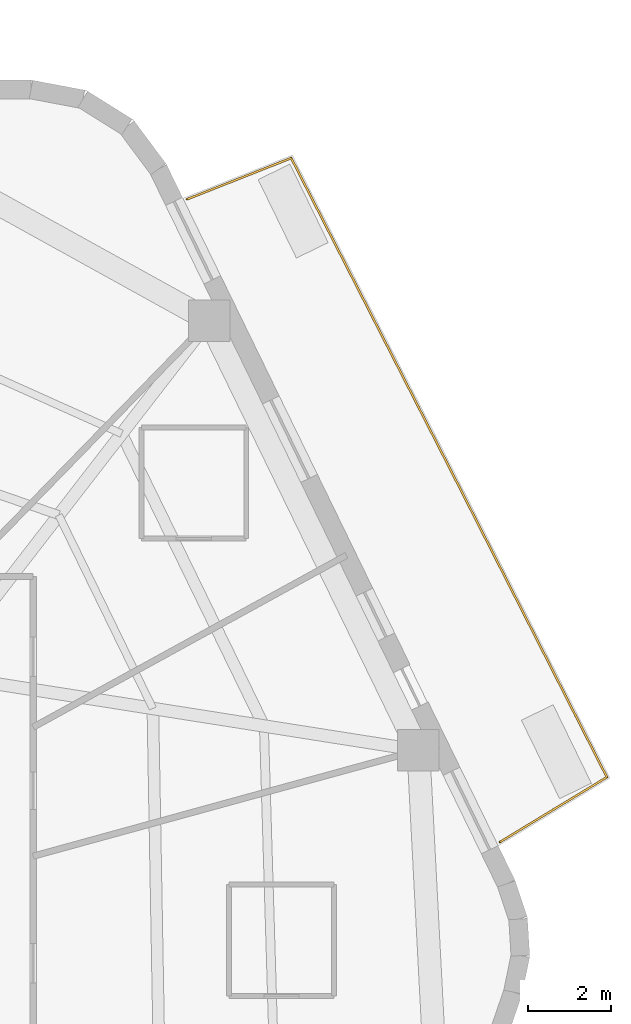
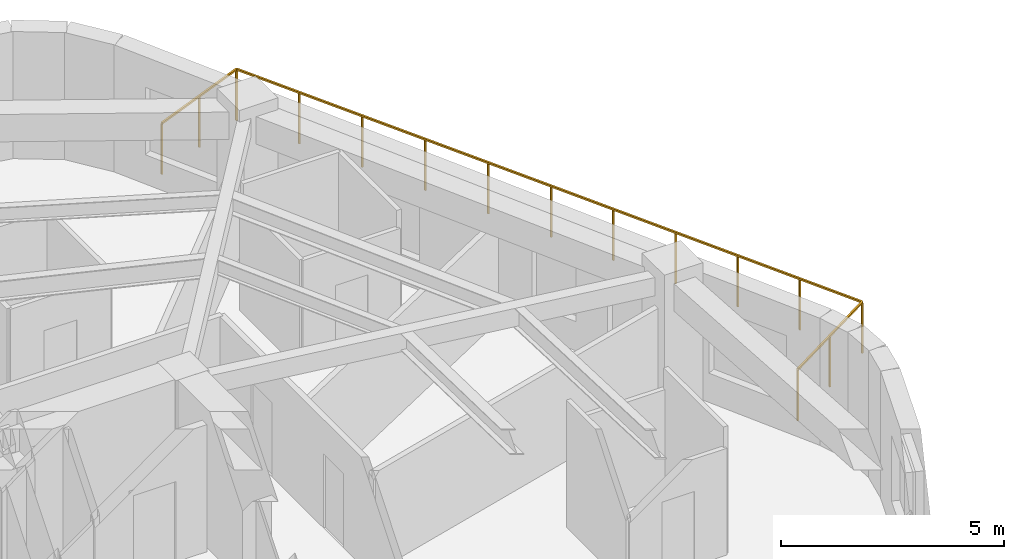
# One storey, part 10 of 10: 1 railing.
"""IFC4 building model written with IfcOpenShell, lengths in metres."""

from ifc_helpers import new_model, si_unit, direction, frame, origin, origin_2d, place, context, subcontext, project, spatial, rectangle, extrude, material, layer, layer_set, type_object, element, save


model = new_model("IFC4")

# Units and contexts
model_context = context("Model", 3, precision=1e-05, world=origin(), true_north=direction((0.0, 1.0)))
body_context = subcontext(model_context, "Body", "Model", "MODEL_VIEW")
ifc_project = project(units=[si_unit("LENGTHUNIT", "METRE"), si_unit("AREAUNIT", "SQUARE_METRE"), si_unit("VOLUMEUNIT", "CUBIC_METRE"), si_unit("PLANEANGLEUNIT", "RADIAN"), si_unit("MASSUNIT", "GRAM", prefix="KILO")], contexts=[model_context])

# Site, building, storey
site_placement = place(None, origin())
site = spatial("IfcSite", under=ifc_project, at=site_placement, CompositionType="ELEMENT")
building_placement = place(site_placement, origin())
building = spatial("IfcBuilding", under=site, at=building_placement, Name="Kilnhurst Terrace Hotel", CompositionType="ELEMENT")
storey_placement = place(building_placement, frame((0.0, 0.0, 252.10009765625)))
storey = spatial("IfcBuildingStorey", under=building, at=storey_placement, Name="L63", CompositionType="ELEMENT", Elevation=252.10009765625)

# Railing
ifc_material = material(Name="Laminated SentryGlas and Stainless Steel AISI 316L Balustrade", Category="steel")
ifc_layer = layer(ifc_material, 0.070068359375, Name="Laminated SentryGlas and Stainless Steel AISI 316L Balustrade")
ifc_layer_set = layer_set([ifc_layer], Name="Laminated SentryGlas and Stainless Steel AISI 316L Balustrade")
railing_type = type_object("IfcRailingType", Name="RLG-BAL-1420", PredefinedType="BALUSTRADE", material=ifc_layer_set)
railing_placement = place(storey_placement, frame((15.0546875, 18.933349609375, 0.0)))
element("IfcRailing", 1, at=railing_placement, inside=storey, type_object=railing_type, Name="L63 Exterior Terrace Guardrail BAL-L1A.1", PredefinedType="BALUSTRADE", context=body_context, shape_type="SweptSolid", body=[
    extrude(rectangle(XDim=0.048095703125, YDim=0.048095703125, at=origin_2d()), frame((0.0, 0.0, 1.39599609375), z_axis=(0.929913162101, 0.367779160574, 0.0), x_axis=(-0.367779160574, 0.929913162101, 0.0)), (0.0, 0.0, 1.0), 2.694580078125),
    extrude(rectangle(XDim=0.048095703125, YDim=0.048095703125, at=origin_2d()), frame((2.505615234375, 0.990966796875, 1.39599609375), z_axis=(0.455129479154, -0.890425267614, 0.0), x_axis=(0.890425267614, 0.455129479154, 0.0)), (0.0, 0.0, 1.0), 8.4072265625),
    extrude(rectangle(XDim=0.048095703125, YDim=0.048095703125, at=origin_2d()), frame((6.33203125, -6.4951171875, 1.39599609375), z_axis=(0.45338853952, -0.891312982196, 0.0), x_axis=(0.891312982196, 0.45338853952, 0.0)), (0.0, 0.0, 1.0), 8.320068359375),
    extrude(rectangle(XDim=0.048095703125, YDim=0.048095703125, at=origin_2d()), frame((10.104248046875, -13.910888671875, 1.39599609375), z_axis=(-0.854990626614, -0.518643450168, 0.0), x_axis=(0.518643450168, -0.854990626614, 0.0)), (0.0, 0.0, 1.0), 3.008056640625),
    extrude(rectangle(XDim=0.0419921875, YDim=0.0419921875, at=origin_2d()), origin(), (0.0, 0.0, 1.0), 1.371826171875),
    extrude(rectangle(XDim=0.0419921875, YDim=0.0419921875, at=origin_2d()), frame((1.2529296875, 0.49560546875, 0.0)), (0.0, 0.0, 1.0), 1.371826171875),
    extrude(rectangle(XDim=0.0419921875, YDim=0.0419921875, at=origin_2d()), frame((2.505615234375, 0.990966796875, 0.0)), (0.0, 0.0, 1.0), 1.371826171875),
    extrude(rectangle(XDim=0.0419921875, YDim=0.0419921875, at=origin_2d()), frame((3.27099609375, -0.50634765625, 0.0)), (0.0, 0.0, 1.0), 1.371826171875),
    extrude(rectangle(XDim=0.0419921875, YDim=0.0419921875, at=origin_2d()), frame((4.0361328125, -2.00341796875, 0.0)), (0.0, 0.0, 1.0), 1.371826171875),
    extrude(rectangle(XDim=0.0419921875, YDim=0.0419921875, at=origin_2d()), frame((4.801513671875, -3.500732421875, 0.0)), (0.0, 0.0, 1.0), 1.371826171875),
    extrude(rectangle(XDim=0.0419921875, YDim=0.0419921875, at=origin_2d()), frame((5.566650390625, -4.997802734375, 0.0)), (0.0, 0.0, 1.0), 1.371826171875),
    extrude(rectangle(XDim=0.0419921875, YDim=0.0419921875, at=origin_2d()), frame((6.33203125, -6.4951171875, 0.0)), (0.0, 0.0, 1.0), 1.371826171875),
    extrude(rectangle(XDim=0.0419921875, YDim=0.0419921875, at=origin_2d()), frame((7.08642578125, -7.978271484375, 0.0)), (0.0, 0.0, 1.0), 1.371826171875),
    extrude(rectangle(XDim=0.0419921875, YDim=0.0419921875, at=origin_2d()), frame((7.8408203125, -9.46142578125, 0.0)), (0.0, 0.0, 1.0), 1.371826171875),
    extrude(rectangle(XDim=0.0419921875, YDim=0.0419921875, at=origin_2d()), frame((8.595458984375, -10.944580078125, 0.0)), (0.0, 0.0, 1.0), 1.371826171875),
    extrude(rectangle(XDim=0.0419921875, YDim=0.0419921875, at=origin_2d()), frame((9.349853515625, -12.427734375, 0.0)), (0.0, 0.0, 1.0), 1.371826171875),
    extrude(rectangle(XDim=0.0419921875, YDim=0.0419921875, at=origin_2d()), frame((10.104248046875, -13.910888671875, 0.0)), (0.0, 0.0, 1.0), 1.371826171875),
    extrude(rectangle(XDim=0.0419921875, YDim=0.0419921875, at=origin_2d()), frame((8.818359375, -14.69091796875, 0.0)), (0.0, 0.0, 1.0), 1.371826171875),
    extrude(rectangle(XDim=0.0419921875, YDim=0.0419921875, at=origin_2d()), frame((7.532470703125, -15.470947265625, 0.0)), (0.0, 0.0, 1.0), 1.371826171875),
])

save(model, "model.ifc")
